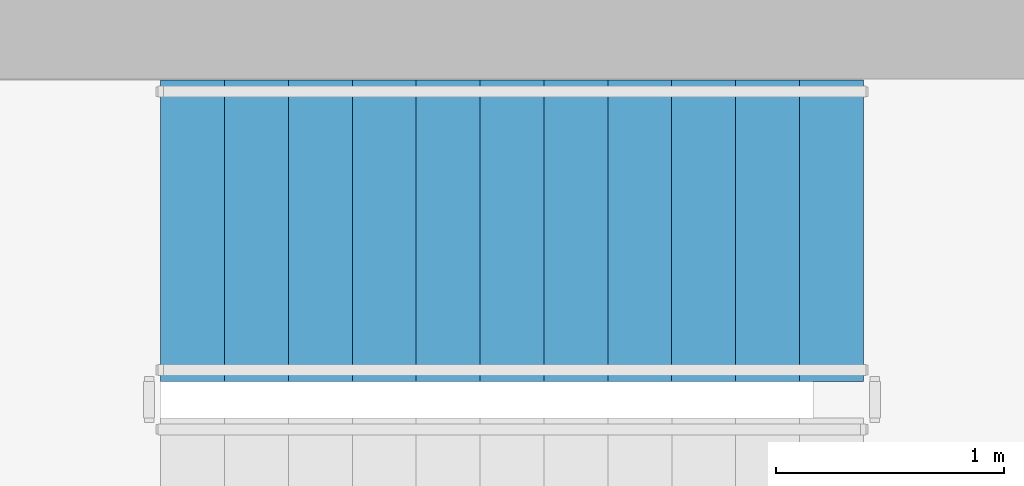
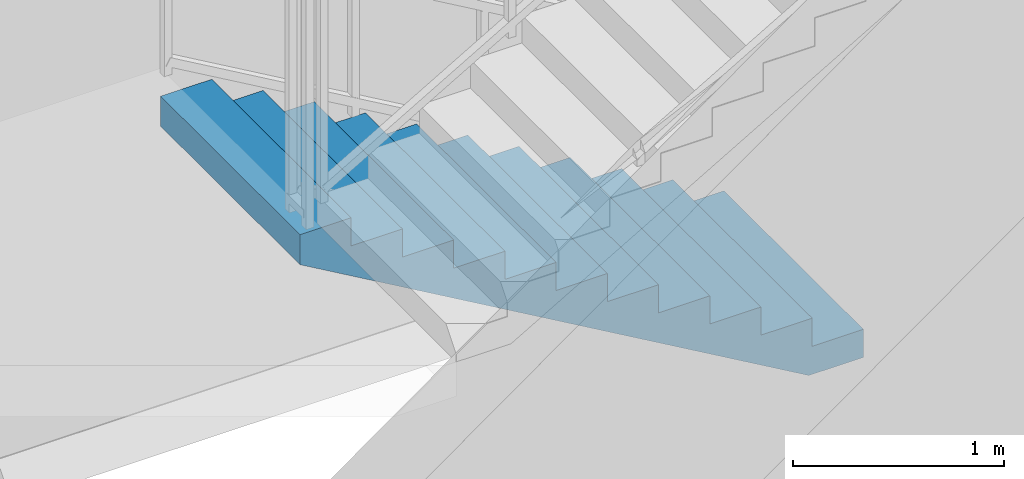
# One storey, part 24 of 27: 1 stair flight, 1 element without a shape of its own.
"""IFC4 building model written with IfcOpenShell, lengths in metres."""

from ifc_helpers import new_model, si_unit, direction, frame, origin, place, context, subcontext, project, spatial, polyline, outline, extrude, material, type_object, element, aggregate, save


model = new_model("IFC4")

# Units and contexts
model_context = context("Model", 3, precision=1e-05, world=origin(), true_north=direction((0.0, 1.0)))
body_context = subcontext(model_context, "Body", "Model", "MODEL_VIEW")
ifc_project = project(units=[si_unit("LENGTHUNIT", "METRE"), si_unit("AREAUNIT", "SQUARE_METRE"), si_unit("VOLUMEUNIT", "CUBIC_METRE"), si_unit("PLANEANGLEUNIT", "RADIAN"), si_unit("MASSUNIT", "GRAM", prefix="KILO")], contexts=[model_context])

# Site, building, storey
site_placement = place(None, origin())
site = spatial("IfcSite", under=ifc_project, at=site_placement, CompositionType="ELEMENT")
building_placement = place(site_placement, origin())
building = spatial("IfcBuilding", under=site, at=building_placement, Name="Khorvyn Point Tower", CompositionType="ELEMENT")
storey_placement = place(building_placement, frame((0.0, 0.0, 168.0)))
storey = spatial("IfcBuildingStorey", under=building, at=storey_placement, Name="L41", CompositionType="ELEMENT", Elevation=168.0)

# Stair, stair flight
ifc_material = material(Name="Concrete C40/50", Category="concrete")
stair_type = type_object("IfcStairType", Name="Tower Concrete C40/50 Dogleg Exit Stair", PredefinedType="HALF_TURN_STAIR", material=ifc_material)
stair_placement = place(storey_placement, origin())
stair = element("IfcStair", 1, at=stair_placement, inside=storey, type_object=stair_type, Name="L41 Tower Smokeproof Exit Stair North", PredefinedType="HALF_TURN_STAIR")
stair_flight_type = type_object("IfcStairFlightType", Name="Tower Concrete C40/50 Stair Flight", PredefinedType="STRAIGHT", material=ifc_material)
stair_flight_placement = place(storey_placement, frame((2.89990234375, 11.159912109375, 0.0), z_axis=(0.0, 0.0, 1.0), x_axis=(-1.0, 0.0, 0.0)))
stair_flight = element("IfcStairFlight", 2, at=stair_flight_placement, type_object=stair_flight_type, Name="ST-02 flight 1", NumberOfRisers=12, NumberOfTreads=11, PredefinedType="STRAIGHT", RiserHeight=0.1625, TreadLength=0.28, context=body_context, shape_type="SweptSolid", body=[
    extrude(outline(polyline([(0.0, 0.0), (0.0, 0.16259765625), (0.280029296875, 0.16259765625), (0.280029296875, 0.324951171875), (0.56005859375, 0.324951171875), (0.56005859375, 0.487548828125), (0.840087890625, 0.487548828125), (0.840087890625, 0.64990234375), (1.1201171875, 0.64990234375), (1.1201171875, 0.8125), (1.39990234375, 0.8125), (1.39990234375, 0.97509765625), (1.679931640625, 0.97509765625), (1.679931640625, 1.137451171875), (1.9599609375, 1.137451171875), (1.9599609375, 1.300048828125), (2.239990234375, 1.300048828125), (2.239990234375, 1.46240234375), (2.52001953125, 1.46240234375), (2.52001953125, 1.625), (2.800048828125, 1.625), (2.800048828125, 1.78759765625), (3.080078125, 1.78759765625), (3.080078125, 1.949951171875), (3.080078125, 1.6142578125), (0.298583984375, 0.0), (0.0, 0.0)])), frame((0.0, 0.66015625, 0.0), z_axis=(0.0, -1.0, 0.0), x_axis=(1.0, 0.0, 0.0)), (0.0, 0.0, 1.0), 1.320068359375),
])
aggregate(stair, [stair_flight])

save(model, "model.ifc")
